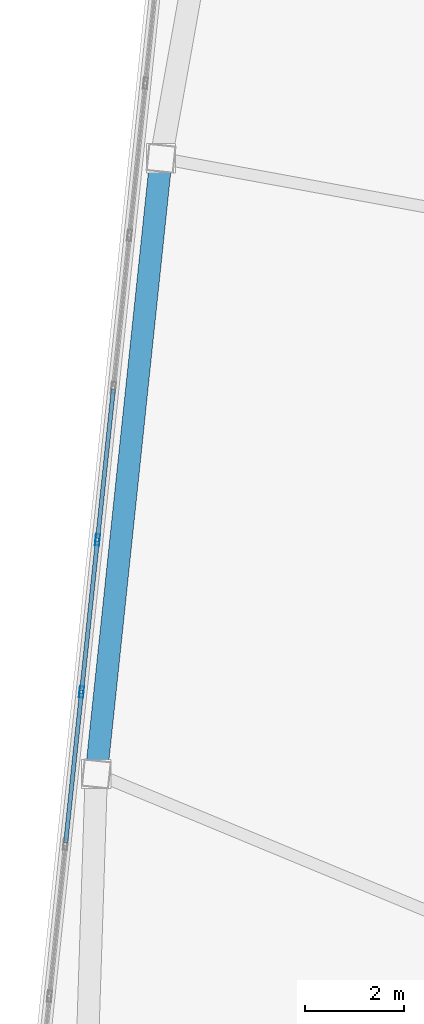
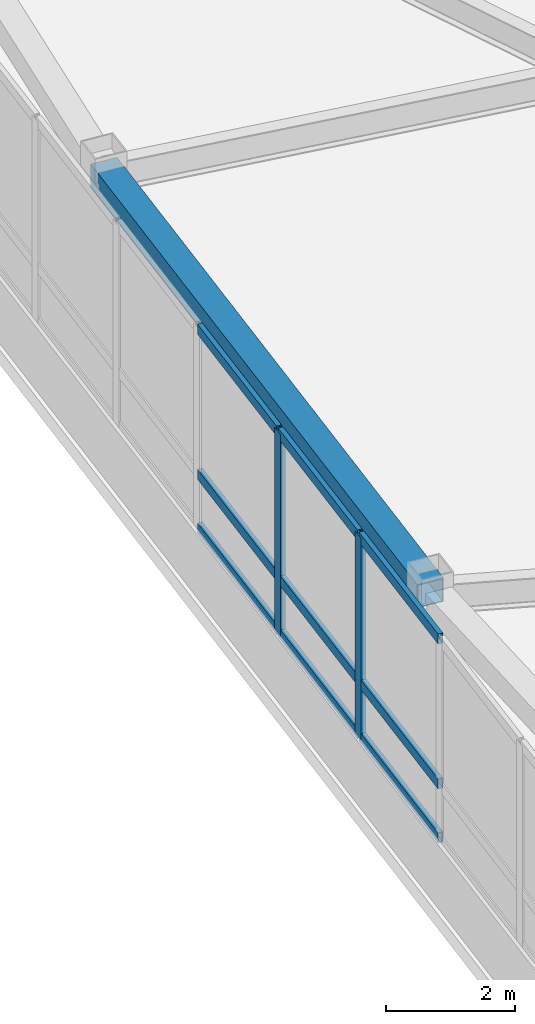
# One storey, part 6 of 23: 11 members, 1 beam, 1 element without a shape of its own.
"""IFC4 building model written with IfcOpenShell, lengths in metres."""

from ifc_helpers import new_model, si_unit, direction, frame, origin, origin_2d, place, context, subcontext, project, spatial, hollow_rectangle, extrude, material, layer, layer_set, material_profile, profile_set, type_object, element, aggregate, save


model = new_model("IFC4")

# Units and contexts
model_context = context("Model", 3, precision=1e-05, world=origin(), true_north=direction((0.0, 1.0)))
body_context = subcontext(model_context, "Body", "Model", "MODEL_VIEW")
ifc_project = project(units=[si_unit("LENGTHUNIT", "METRE"), si_unit("AREAUNIT", "SQUARE_METRE"), si_unit("VOLUMEUNIT", "CUBIC_METRE"), si_unit("PLANEANGLEUNIT", "RADIAN"), si_unit("MASSUNIT", "GRAM", prefix="KILO")], contexts=[model_context])

# Site, building, storey
site_placement = place(None, origin())
site = spatial("IfcSite", under=ifc_project, at=site_placement, CompositionType="ELEMENT")
building_placement = place(site_placement, origin())
building = spatial("IfcBuilding", under=site, at=building_placement, Name="Voryun Gate Residences", CompositionType="ELEMENT")
storey_placement = place(building_placement, frame((0.0, 0.0, 326.60009765625)))
storey = spatial("IfcBuildingStorey", under=building, at=storey_placement, Name="L80", CompositionType="ELEMENT", Elevation=326.60009765625)

# Beam
ifc_material_1 = material(Name="Steel SM355", Category="steel")
ifc_material_profile_1 = material_profile(ifc_material_1, hollow_rectangle(XDim=0.449951171875, YDim=0.449951171875, WallThickness=0.01806640625, at=origin_2d()), Name="BOX-450x450x18")
ifc_profile_set_1 = profile_set([ifc_material_profile_1], Name="Steel SM355")
beam_type = type_object("IfcBeamType", Name="BM_CROWN_RING", PredefinedType="BEAM", material=ifc_profile_set_1)
beam_placement = place(storey_placement, frame((-27.158203125, 8.861572265625, 4.7998046875), z_axis=(-0.104539303236, -0.994520755982, 0.0), x_axis=(0.994520755982, -0.104539303236, 0.0)))
element("IfcBeam", 1, at=beam_placement, inside=storey, type_object=beam_type, Name="BM-L80-SPAND-18", PredefinedType="BEAM", context=body_context, shape_type="SweptSolid", body=[
    extrude(hollow_rectangle(XDim=0.449951171875, YDim=0.449951171875, WallThickness=0.01806640625, at=origin_2d()), origin(), (0.0, 0.0, 1.0), 12.491943359375),
])

# Curtain wall, members
ifc_material_2 = material(Name="Anodised aluminium", Category="aluminium")
ifc_layer = layer(ifc_material_2, 0.22998046875, Name="CW_SYS_LANTERN_DARK_GLASS")
ifc_layer_set = layer_set([ifc_layer], Name="Anodised aluminium")
curtain_wall_type = type_object("IfcCurtainWallType", Name="CW_SYS_LANTERN_DARK_GLASS", PredefinedType="NOTDEFINED", material=ifc_layer_set)
curtain_wall_placement = place(storey_placement, origin())
curtain_wall = element("IfcCurtainWall", 2, at=curtain_wall_placement, inside=storey, type_object=curtain_wall_type, Name="Curtain wall CW6-L80-06", PredefinedType="NOTDEFINED")
ifc_material_3 = material(Name="Anodised aluminium", Category="aluminium")
ifc_material_profile_2 = material_profile(ifc_material_3, hollow_rectangle(XDim=0.0849609375, YDim=0.22998046875, WallThickness=0.006103515625, at=origin_2d()), Name="ALU-MULL-230x85x6")
ifc_profile_set_2 = profile_set([ifc_material_profile_2], Name="Anodised aluminium")
member_type_1 = type_object("IfcMemberType", Name="CW_MULL_LANT", PredefinedType="MULLION", material=ifc_profile_set_2)
member_1_placement = place(storey_placement, frame((-28.7626953125, -1.907470703125, 1.18994140625), z_axis=(0.0, 0.0, 1.0), x_axis=(-0.994521943608, 0.104528004296, 0.0)))
member_1 = element("IfcMember", 3, at=member_1_placement, type_object=member_type_1, Name="CW6 mullion 4", PredefinedType="MULLION", context=body_context, shape_type="SweptSolid", body=[
    extrude(hollow_rectangle(XDim=0.0849609375, YDim=0.22998046875, WallThickness=0.006103515625, at=origin_2d()), origin(), (0.0, 0.0, 1.0), 3.8349609375),
])
member_2_placement = place(storey_placement, frame((-28.43994140625, 1.163330078125, 1.18994140625), z_axis=(0.0, 0.0, 1.0), x_axis=(-0.994521943608, 0.104528004296, 0.0)))
member_2 = element("IfcMember", 4, at=member_2_placement, type_object=member_type_1, Name="CW6 mullion 5", PredefinedType="MULLION", context=body_context, shape_type="SweptSolid", body=[
    extrude(hollow_rectangle(XDim=0.0849609375, YDim=0.22998046875, WallThickness=0.006103515625, at=origin_2d()), origin(), (0.0, 0.0, 1.0), 3.8349609375),
])
ifc_material_4 = material(Name="Anodised aluminium", Category="aluminium")
ifc_material_profile_3 = material_profile(ifc_material_4, hollow_rectangle(XDim=0.0849609375, YDim=0.18994140625, WallThickness=0.006103515625, at=origin_2d()), Name="ALU-TRAN-190x85x6")
ifc_profile_set_3 = profile_set([ifc_material_profile_3], Name="Anodised aluminium")
member_type_2 = type_object("IfcMemberType", Name="CW_TRAN_LANT", PredefinedType="USERDEFINED", material=ifc_profile_set_3)
member_3_placement = place(storey_placement, frame((-29.082275390625, -4.948486328125, 1.219970703125), z_axis=(0.104500100479, 0.994524876009, 0.0), x_axis=(-0.994524876009, 0.104500100479, 0.0)))
member_3 = element("IfcMember", 5, at=member_3_placement, type_object=member_type_2, Name="CW6 transom 3.1", ObjectType="TRANSOM", PredefinedType="USERDEFINED", context=body_context, shape_type="SweptSolid", body=[
    extrude(hollow_rectangle(XDim=0.0849609375, YDim=0.18994140625, WallThickness=0.006103515625, at=origin_2d()), origin(), (0.0, 0.0, 1.0), 3.02783203125),
])
member_4_placement = place(storey_placement, frame((-29.082275390625, -4.948486328125, 2.239990234375), z_axis=(0.104500100479, 0.994524876009, 0.0), x_axis=(-0.994524876009, 0.104500100479, 0.0)))
member_4 = element("IfcMember", 6, at=member_4_placement, type_object=member_type_2, Name="CW6 transom 3.2", ObjectType="TRANSOM", PredefinedType="USERDEFINED", context=body_context, shape_type="SweptSolid", body=[
    extrude(hollow_rectangle(XDim=0.0849609375, YDim=0.18994140625, WallThickness=0.006103515625, at=origin_2d()), origin(), (0.0, 0.0, 1.0), 3.02783203125),
])
member_5_placement = place(storey_placement, frame((-29.082275390625, -4.948486328125, 4.994873046875), z_axis=(0.104500100479, 0.994524876009, 0.0), x_axis=(-0.994524876009, 0.104500100479, 0.0)))
member_5 = element("IfcMember", 7, at=member_5_placement, type_object=member_type_2, Name="CW6 transom 3.3", ObjectType="TRANSOM", PredefinedType="USERDEFINED", context=body_context, shape_type="SweptSolid", body=[
    extrude(hollow_rectangle(XDim=0.0849609375, YDim=0.18994140625, WallThickness=0.006103515625, at=origin_2d()), origin(), (0.0, 0.0, 1.0), 3.02783203125),
])
member_6_placement = place(storey_placement, frame((-28.759521484375, -1.877685546875, 1.219970703125), z_axis=(0.104500100479, 0.994524876009, 0.0), x_axis=(-0.994524876009, 0.104500100479, 0.0)))
member_6 = element("IfcMember", 8, at=member_6_placement, type_object=member_type_2, Name="CW6 transom 4.1", ObjectType="TRANSOM", PredefinedType="USERDEFINED", context=body_context, shape_type="SweptSolid", body=[
    extrude(hollow_rectangle(XDim=0.0849609375, YDim=0.18994140625, WallThickness=0.006103515625, at=origin_2d()), origin(), (0.0, 0.0, 1.0), 3.02783203125),
])
member_7_placement = place(storey_placement, frame((-28.759521484375, -1.877685546875, 2.239990234375), z_axis=(0.104500100479, 0.994524876009, 0.0), x_axis=(-0.994524876009, 0.104500100479, 0.0)))
member_7 = element("IfcMember", 9, at=member_7_placement, type_object=member_type_2, Name="CW6 transom 4.2", ObjectType="TRANSOM", PredefinedType="USERDEFINED", context=body_context, shape_type="SweptSolid", body=[
    extrude(hollow_rectangle(XDim=0.0849609375, YDim=0.18994140625, WallThickness=0.006103515625, at=origin_2d()), origin(), (0.0, 0.0, 1.0), 3.02783203125),
])
member_8_placement = place(storey_placement, frame((-28.759521484375, -1.877685546875, 4.994873046875), z_axis=(0.104500100479, 0.994524876009, 0.0), x_axis=(-0.994524876009, 0.104500100479, 0.0)))
member_8 = element("IfcMember", 10, at=member_8_placement, type_object=member_type_2, Name="CW6 transom 4.3", ObjectType="TRANSOM", PredefinedType="USERDEFINED", context=body_context, shape_type="SweptSolid", body=[
    extrude(hollow_rectangle(XDim=0.0849609375, YDim=0.18994140625, WallThickness=0.006103515625, at=origin_2d()), origin(), (0.0, 0.0, 1.0), 3.02783203125),
])
member_9_placement = place(storey_placement, frame((-28.436767578125, 1.193359375, 1.219970703125), z_axis=(0.104500100479, 0.994524876009, 0.0), x_axis=(-0.994524876009, 0.104500100479, 0.0)))
member_9 = element("IfcMember", 11, at=member_9_placement, type_object=member_type_2, Name="CW6 transom 5.1", ObjectType="TRANSOM", PredefinedType="USERDEFINED", context=body_context, shape_type="SweptSolid", body=[
    extrude(hollow_rectangle(XDim=0.0849609375, YDim=0.18994140625, WallThickness=0.006103515625, at=origin_2d()), origin(), (0.0, 0.0, 1.0), 3.02783203125),
])
member_10_placement = place(storey_placement, frame((-28.436767578125, 1.193359375, 2.239990234375), z_axis=(0.104500100479, 0.994524876009, 0.0), x_axis=(-0.994524876009, 0.104500100479, 0.0)))
member_10 = element("IfcMember", 12, at=member_10_placement, type_object=member_type_2, Name="CW6 transom 5.2", ObjectType="TRANSOM", PredefinedType="USERDEFINED", context=body_context, shape_type="SweptSolid", body=[
    extrude(hollow_rectangle(XDim=0.0849609375, YDim=0.18994140625, WallThickness=0.006103515625, at=origin_2d()), origin(), (0.0, 0.0, 1.0), 3.02783203125),
])
member_11_placement = place(storey_placement, frame((-28.436767578125, 1.193359375, 4.994873046875), z_axis=(0.104500100479, 0.994524876009, 0.0), x_axis=(-0.994524876009, 0.104500100479, 0.0)))
member_11 = element("IfcMember", 13, at=member_11_placement, type_object=member_type_2, Name="CW6 transom 5.3", ObjectType="TRANSOM", PredefinedType="USERDEFINED", context=body_context, shape_type="SweptSolid", body=[
    extrude(hollow_rectangle(XDim=0.0849609375, YDim=0.18994140625, WallThickness=0.006103515625, at=origin_2d()), origin(), (0.0, 0.0, 1.0), 3.02783203125),
])
aggregate(curtain_wall, [member_1, member_2, member_3, member_4, member_5, member_6, member_7, member_8, member_9, member_10, member_11])

save(model, "model.ifc")
